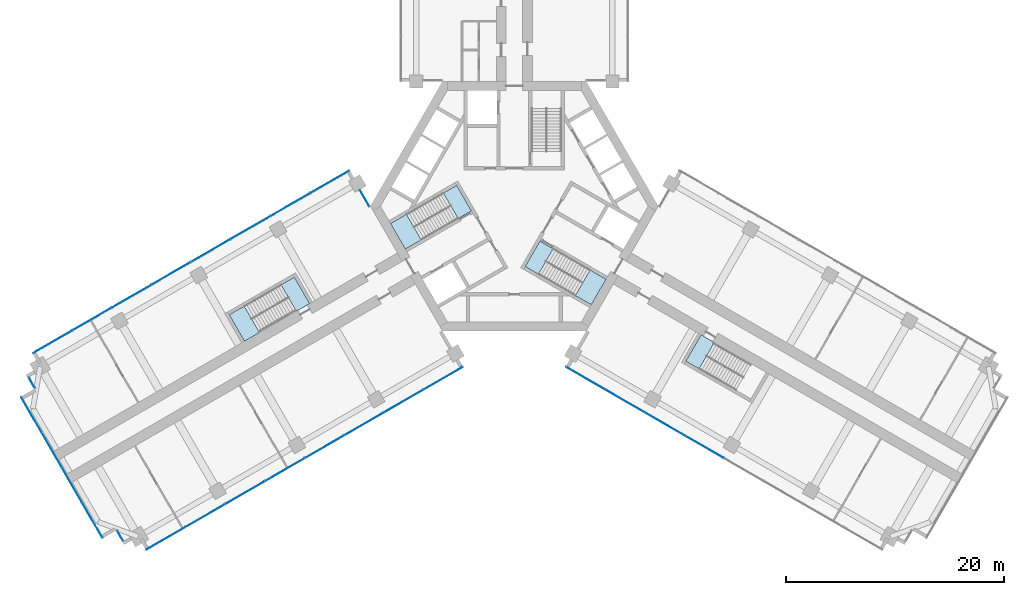
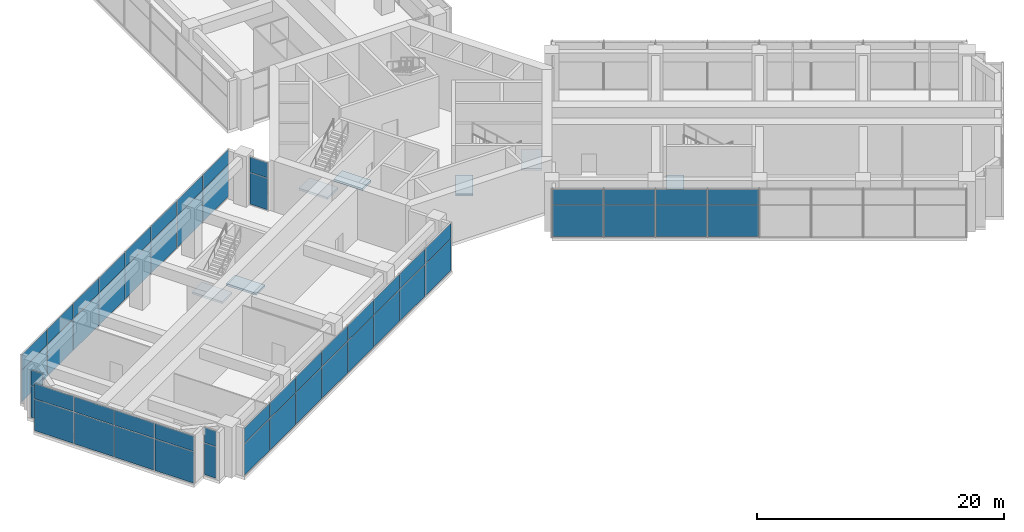
# One storey, part 12 of 20: 54 plates, 7 slabs, 11 elements without a shape of their own.
"""IFC4 building model written with IfcOpenShell, lengths in metres."""

from ifc_helpers import new_model, si_unit, direction, frame, origin, origin_2d, place, context, subcontext, project, spatial, polyline, rectangle, outline, extrude, material, layer, layer_set, type_object, element, aggregate, save


model = new_model("IFC4")

# Units and contexts
model_context = context("Model", 3, precision=1e-05, world=origin(), true_north=direction((0.0, 1.0)))
body_context = subcontext(model_context, "Body", "Model", "MODEL_VIEW")
ifc_project = project(units=[si_unit("LENGTHUNIT", "METRE"), si_unit("AREAUNIT", "SQUARE_METRE"), si_unit("VOLUMEUNIT", "CUBIC_METRE"), si_unit("PLANEANGLEUNIT", "RADIAN"), si_unit("MASSUNIT", "GRAM", prefix="KILO")], contexts=[model_context])

# Site, building, storey
site_placement = place(None, origin())
site = spatial("IfcSite", under=ifc_project, at=site_placement, CompositionType="ELEMENT")
building_placement = place(site_placement, origin())
building = spatial("IfcBuilding", under=site, at=building_placement, Name="Impinga Residences", CompositionType="ELEMENT")
storey_placement = place(building_placement, frame((0.0, 0.0, 101.0)))
storey = spatial("IfcBuildingStorey", under=building, at=storey_placement, Name="L24", CompositionType="ELEMENT", Elevation=101.0)

# Curtain wall, plates
ifc_material_1 = material(Name="Aluminium stick curtain wall", Category="aluminium")
curtain_wall_type = type_object("IfcCurtainWallType", Name="CW2 sky amenity curtain wall", PredefinedType="USERDEFINED", material=ifc_material_1)
curtain_wall_1_placement = place(storey_placement, origin())
curtain_wall_1 = element("IfcCurtainWall", 1, at=curtain_wall_1_placement, inside=storey, type_object=curtain_wall_type, Name="Curtain wall CW2 L24", ObjectType="STICK CURTAIN WALL", PredefinedType="USERDEFINED")
ifc_material_2 = material(Name="Clear double glazing", Category="glass")
ifc_layer_1 = layer(ifc_material_2, 0.028076171875)
ifc_layer_set_1 = layer_set([ifc_layer_1], Name="CW2-P clear double glazed panel 28")
plate_type = type_object("IfcPlateType", Name="CW2-P clear double glazed panel 28", PredefinedType="CURTAIN_PANEL", material=ifc_layer_set_1)
plate_1_placement = place(storey_placement, frame((-36.160888671875, -30.23046875, 0.06005859375), z_axis=(0.0, 0.0, 1.0), x_axis=(-0.499999813995, 0.866025511175, 0.0)))
plate_1 = element("IfcPlate", 2, at=plate_1_placement, type_object=plate_type, Name="CW2 panel 1.1", PredefinedType="CURTAIN_PANEL", context=body_context, shape_type="SweptSolid", body=[
    extrude(rectangle(XDim=1.080078125, YDim=0.028076171875, at=origin_2d()), origin(), (0.0, 0.0, 1.0), 3.110107421875),
])
plate_2_placement = place(storey_placement, frame((-36.160888671875, -30.23046875, 3.22998046875), z_axis=(0.0, 0.0, 1.0), x_axis=(-0.499999813995, 0.866025511175, 0.0)))
plate_2 = element("IfcPlate", 3, at=plate_2_placement, type_object=plate_type, Name="CW2 panel 1.2", PredefinedType="CURTAIN_PANEL", context=body_context, shape_type="SweptSolid", body=[
    extrude(rectangle(XDim=1.080078125, YDim=0.028076171875, at=origin_2d()), origin(), (0.0, 0.0, 1.0), 1.489990234375),
])
aggregate(curtain_wall_1, [plate_1, plate_2])

curtain_wall_2_placement = place(storey_placement, origin())
curtain_wall_2 = element("IfcCurtainWall", 4, at=curtain_wall_2_placement, inside=storey, type_object=curtain_wall_type, Name="Curtain wall CW2 L24", ObjectType="STICK CURTAIN WALL", PredefinedType="USERDEFINED")
plate_3_placement = place(storey_placement, frame((-38.704833984375, -28.82421875, 0.06005859375), z_axis=(0.0, 0.0, 1.0), x_axis=(-0.500000001632, 0.866025402842, 0.0)))
plate_3 = element("IfcPlate", 5, at=plate_3_placement, type_object=plate_type, Name="CW2 panel 1.1", PredefinedType="CURTAIN_PANEL", context=body_context, shape_type="SweptSolid", body=[
    extrude(rectangle(XDim=3.659912109375, YDim=0.028076171875, at=origin_2d()), origin(), (0.0, 0.0, 1.0), 3.110107421875),
])
plate_4_placement = place(storey_placement, frame((-38.704833984375, -28.82421875, 3.22998046875), z_axis=(0.0, 0.0, 1.0), x_axis=(-0.500000001632, 0.866025402842, 0.0)))
plate_4 = element("IfcPlate", 6, at=plate_4_placement, type_object=plate_type, Name="CW2 panel 1.2", PredefinedType="CURTAIN_PANEL", context=body_context, shape_type="SweptSolid", body=[
    extrude(rectangle(XDim=3.659912109375, YDim=0.028076171875, at=origin_2d()), origin(), (0.0, 0.0, 1.0), 1.489990234375),
])
plate_5_placement = place(storey_placement, frame((-40.572509765625, -25.589599609375, 0.06005859375), z_axis=(0.0, 0.0, 1.0), x_axis=(-0.500000001632, 0.866025402842, 0.0)))
plate_5 = element("IfcPlate", 7, at=plate_5_placement, type_object=plate_type, Name="CW2 panel 2.1", PredefinedType="CURTAIN_PANEL", context=body_context, shape_type="SweptSolid", body=[
    extrude(rectangle(XDim=3.68994140625, YDim=0.028076171875, at=origin_2d()), origin(), (0.0, 0.0, 1.0), 3.110107421875),
])
plate_6_placement = place(storey_placement, frame((-40.572509765625, -25.589599609375, 3.22998046875), z_axis=(0.0, 0.0, 1.0), x_axis=(-0.500000001632, 0.866025402842, 0.0)))
plate_6 = element("IfcPlate", 8, at=plate_6_placement, type_object=plate_type, Name="CW2 panel 2.2", PredefinedType="CURTAIN_PANEL", context=body_context, shape_type="SweptSolid", body=[
    extrude(rectangle(XDim=3.68994140625, YDim=0.028076171875, at=origin_2d()), origin(), (0.0, 0.0, 1.0), 1.489990234375),
])
plate_7_placement = place(storey_placement, frame((-42.447509765625, -22.342041015625, 0.06005859375), z_axis=(0.0, 0.0, 1.0), x_axis=(-0.500000001632, 0.866025402842, 0.0)))
plate_7 = element("IfcPlate", 9, at=plate_7_placement, type_object=plate_type, Name="CW2 panel 3.1", PredefinedType="CURTAIN_PANEL", context=body_context, shape_type="SweptSolid", body=[
    extrude(rectangle(XDim=3.68994140625, YDim=0.028076171875, at=origin_2d()), origin(), (0.0, 0.0, 1.0), 3.110107421875),
])
plate_8_placement = place(storey_placement, frame((-42.447509765625, -22.342041015625, 3.22998046875), z_axis=(0.0, 0.0, 1.0), x_axis=(-0.500000001632, 0.866025402842, 0.0)))
plate_8 = element("IfcPlate", 10, at=plate_8_placement, type_object=plate_type, Name="CW2 panel 3.2", PredefinedType="CURTAIN_PANEL", context=body_context, shape_type="SweptSolid", body=[
    extrude(rectangle(XDim=3.68994140625, YDim=0.028076171875, at=origin_2d()), origin(), (0.0, 0.0, 1.0), 1.489990234375),
])
plate_9_placement = place(storey_placement, frame((-44.31494140625, -19.107421875, 0.06005859375), z_axis=(0.0, 0.0, 1.0), x_axis=(-0.500000001632, 0.866025402842, 0.0)))
plate_9 = element("IfcPlate", 11, at=plate_9_placement, type_object=plate_type, Name="CW2 panel 4.1", PredefinedType="CURTAIN_PANEL", context=body_context, shape_type="SweptSolid", body=[
    extrude(rectangle(XDim=3.659912109375, YDim=0.028076171875, at=origin_2d()), origin(), (0.0, 0.0, 1.0), 3.110107421875),
])
plate_10_placement = place(storey_placement, frame((-44.31494140625, -19.107421875, 3.22998046875), z_axis=(0.0, 0.0, 1.0), x_axis=(-0.500000001632, 0.866025402842, 0.0)))
plate_10 = element("IfcPlate", 12, at=plate_10_placement, type_object=plate_type, Name="CW2 panel 4.2", PredefinedType="CURTAIN_PANEL", context=body_context, shape_type="SweptSolid", body=[
    extrude(rectangle(XDim=3.659912109375, YDim=0.028076171875, at=origin_2d()), origin(), (0.0, 0.0, 1.0), 1.489990234375),
])
aggregate(curtain_wall_2, [plate_3, plate_4, plate_5, plate_6, plate_7, plate_8, plate_9, plate_10])

curtain_wall_3_placement = place(storey_placement, origin())
curtain_wall_3 = element("IfcCurtainWall", 13, at=curtain_wall_3_placement, inside=storey, type_object=curtain_wall_type, Name="Curtain wall CW2 L24", ObjectType="STICK CURTAIN WALL", PredefinedType="USERDEFINED")
plate_11_placement = place(storey_placement, frame((-44.260986328125, -16.200927734375, 0.06005859375), z_axis=(0.0, 0.0, 1.0), x_axis=(-0.50000017485, 0.866025302835, 0.0)))
plate_11 = element("IfcPlate", 14, at=plate_11_placement, type_object=plate_type, Name="CW2 panel 1.1", PredefinedType="CURTAIN_PANEL", context=body_context, shape_type="SweptSolid", body=[
    extrude(rectangle(XDim=1.080078125, YDim=0.028076171875, at=origin_2d()), origin(), (0.0, 0.0, 1.0), 3.110107421875),
])
plate_12_placement = place(storey_placement, frame((-44.260986328125, -16.200927734375, 3.22998046875), z_axis=(0.0, 0.0, 1.0), x_axis=(-0.50000017485, 0.866025302835, 0.0)))
plate_12 = element("IfcPlate", 15, at=plate_12_placement, type_object=plate_type, Name="CW2 panel 1.2", PredefinedType="CURTAIN_PANEL", context=body_context, shape_type="SweptSolid", body=[
    extrude(rectangle(XDim=1.080078125, YDim=0.028076171875, at=origin_2d()), origin(), (0.0, 0.0, 1.0), 1.489990234375),
])
aggregate(curtain_wall_3, [plate_11, plate_12])

curtain_wall_4_placement = place(storey_placement, origin())
curtain_wall_4 = element("IfcCurtainWall", 16, at=curtain_wall_4_placement, inside=storey, type_object=curtain_wall_type, Name="Curtain wall CW2 L24", ObjectType="STICK CURTAIN WALL", PredefinedType="USERDEFINED")
plate_13_placement = place(storey_placement, frame((-42.36669921875, -12.45166015625, 0.06005859375), z_axis=(0.0, 0.0, 1.0), x_axis=(0.866025407005, 0.499999994423, 0.0)))
plate_13 = element("IfcPlate", 17, at=plate_13_placement, type_object=plate_type, Name="CW2 panel 1.1", PredefinedType="CURTAIN_PANEL", context=body_context, shape_type="SweptSolid", body=[
    extrude(rectangle(XDim=4.110107421875, YDim=0.028076171875, at=origin_2d()), origin(), (0.0, 0.0, 1.0), 3.110107421875),
])
plate_14_placement = place(storey_placement, frame((-42.36669921875, -12.45166015625, 3.22998046875), z_axis=(0.0, 0.0, 1.0), x_axis=(0.866025407005, 0.499999994423, 0.0)))
plate_14 = element("IfcPlate", 18, at=plate_14_placement, type_object=plate_type, Name="CW2 panel 1.2", PredefinedType="CURTAIN_PANEL", context=body_context, shape_type="SweptSolid", body=[
    extrude(rectangle(XDim=4.110107421875, YDim=0.028076171875, at=origin_2d()), origin(), (0.0, 0.0, 1.0), 1.489990234375),
])
plate_15_placement = place(storey_placement, frame((-38.742431640625, -10.359130859375, 0.06005859375), z_axis=(0.0, 0.0, 1.0), x_axis=(0.866025407005, 0.499999994423, 0.0)))
plate_15 = element("IfcPlate", 19, at=plate_15_placement, type_object=plate_type, Name="CW2 panel 2.1", PredefinedType="CURTAIN_PANEL", context=body_context, shape_type="SweptSolid", body=[
    extrude(rectangle(XDim=4.139892578125, YDim=0.028076171875, at=origin_2d()), origin(), (0.0, 0.0, 1.0), 3.110107421875),
])
plate_16_placement = place(storey_placement, frame((-38.742431640625, -10.359130859375, 3.22998046875), z_axis=(0.0, 0.0, 1.0), x_axis=(0.866025407005, 0.499999994423, 0.0)))
plate_16 = element("IfcPlate", 20, at=plate_16_placement, type_object=plate_type, Name="CW2 panel 2.2", PredefinedType="CURTAIN_PANEL", context=body_context, shape_type="SweptSolid", body=[
    extrude(rectangle(XDim=4.139892578125, YDim=0.028076171875, at=origin_2d()), origin(), (0.0, 0.0, 1.0), 1.489990234375),
])
plate_17_placement = place(storey_placement, frame((-35.105224609375, -8.259033203125, 0.06005859375), z_axis=(0.0, 0.0, 1.0), x_axis=(0.866025407005, 0.499999994423, 0.0)))
plate_17 = element("IfcPlate", 21, at=plate_17_placement, type_object=plate_type, Name="CW2 panel 3.1", PredefinedType="CURTAIN_PANEL", context=body_context, shape_type="SweptSolid", body=[
    extrude(rectangle(XDim=4.139892578125, YDim=0.028076171875, at=origin_2d()), origin(), (0.0, 0.0, 1.0), 3.110107421875),
])
plate_18_placement = place(storey_placement, frame((-35.105224609375, -8.259033203125, 3.22998046875), z_axis=(0.0, 0.0, 1.0), x_axis=(0.866025407005, 0.499999994423, 0.0)))
plate_18 = element("IfcPlate", 22, at=plate_18_placement, type_object=plate_type, Name="CW2 panel 3.2", PredefinedType="CURTAIN_PANEL", context=body_context, shape_type="SweptSolid", body=[
    extrude(rectangle(XDim=4.139892578125, YDim=0.028076171875, at=origin_2d()), origin(), (0.0, 0.0, 1.0), 1.489990234375),
])
plate_19_placement = place(storey_placement, frame((-31.4677734375, -6.1591796875, 0.06005859375), z_axis=(0.0, 0.0, 1.0), x_axis=(0.866025407005, 0.499999994423, 0.0)))
plate_19 = element("IfcPlate", 23, at=plate_19_placement, type_object=plate_type, Name="CW2 panel 4.1", PredefinedType="CURTAIN_PANEL", context=body_context, shape_type="SweptSolid", body=[
    extrude(rectangle(XDim=4.139892578125, YDim=0.028076171875, at=origin_2d()), origin(), (0.0, 0.0, 1.0), 3.110107421875),
])
plate_20_placement = place(storey_placement, frame((-31.4677734375, -6.1591796875, 3.22998046875), z_axis=(0.0, 0.0, 1.0), x_axis=(0.866025407005, 0.499999994423, 0.0)))
plate_20 = element("IfcPlate", 24, at=plate_20_placement, type_object=plate_type, Name="CW2 panel 4.2", PredefinedType="CURTAIN_PANEL", context=body_context, shape_type="SweptSolid", body=[
    extrude(rectangle(XDim=4.139892578125, YDim=0.028076171875, at=origin_2d()), origin(), (0.0, 0.0, 1.0), 1.489990234375),
])
plate_21_placement = place(storey_placement, frame((-27.83056640625, -4.05908203125, 0.06005859375), z_axis=(0.0, 0.0, 1.0), x_axis=(0.866025407005, 0.499999994423, 0.0)))
plate_21 = element("IfcPlate", 25, at=plate_21_placement, type_object=plate_type, Name="CW2 panel 5.1", PredefinedType="CURTAIN_PANEL", context=body_context, shape_type="SweptSolid", body=[
    extrude(rectangle(XDim=4.139892578125, YDim=0.028076171875, at=origin_2d()), origin(), (0.0, 0.0, 1.0), 3.110107421875),
])
plate_22_placement = place(storey_placement, frame((-27.83056640625, -4.05908203125, 3.22998046875), z_axis=(0.0, 0.0, 1.0), x_axis=(0.866025407005, 0.499999994423, 0.0)))
plate_22 = element("IfcPlate", 26, at=plate_22_placement, type_object=plate_type, Name="CW2 panel 5.2", PredefinedType="CURTAIN_PANEL", context=body_context, shape_type="SweptSolid", body=[
    extrude(rectangle(XDim=4.139892578125, YDim=0.028076171875, at=origin_2d()), origin(), (0.0, 0.0, 1.0), 1.489990234375),
])
plate_23_placement = place(storey_placement, frame((-24.193359375, -1.958984375, 0.06005859375), z_axis=(0.0, 0.0, 1.0), x_axis=(0.866025407005, 0.499999994423, 0.0)))
plate_23 = element("IfcPlate", 27, at=plate_23_placement, type_object=plate_type, Name="CW2 panel 6.1", PredefinedType="CURTAIN_PANEL", context=body_context, shape_type="SweptSolid", body=[
    extrude(rectangle(XDim=4.139892578125, YDim=0.028076171875, at=origin_2d()), origin(), (0.0, 0.0, 1.0), 3.110107421875),
])
plate_24_placement = place(storey_placement, frame((-24.193359375, -1.958984375, 3.22998046875), z_axis=(0.0, 0.0, 1.0), x_axis=(0.866025407005, 0.499999994423, 0.0)))
plate_24 = element("IfcPlate", 28, at=plate_24_placement, type_object=plate_type, Name="CW2 panel 6.2", PredefinedType="CURTAIN_PANEL", context=body_context, shape_type="SweptSolid", body=[
    extrude(rectangle(XDim=4.139892578125, YDim=0.028076171875, at=origin_2d()), origin(), (0.0, 0.0, 1.0), 1.489990234375),
])
plate_25_placement = place(storey_placement, frame((-20.555908203125, 0.140869140625, 0.06005859375), z_axis=(0.0, 0.0, 1.0), x_axis=(0.866025407005, 0.499999994423, 0.0)))
plate_25 = element("IfcPlate", 29, at=plate_25_placement, type_object=plate_type, Name="CW2 panel 7.1", PredefinedType="CURTAIN_PANEL", context=body_context, shape_type="SweptSolid", body=[
    extrude(rectangle(XDim=4.139892578125, YDim=0.028076171875, at=origin_2d()), origin(), (0.0, 0.0, 1.0), 3.110107421875),
])
plate_26_placement = place(storey_placement, frame((-20.555908203125, 0.140869140625, 3.22998046875), z_axis=(0.0, 0.0, 1.0), x_axis=(0.866025407005, 0.499999994423, 0.0)))
plate_26 = element("IfcPlate", 30, at=plate_26_placement, type_object=plate_type, Name="CW2 panel 7.2", PredefinedType="CURTAIN_PANEL", context=body_context, shape_type="SweptSolid", body=[
    extrude(rectangle(XDim=4.139892578125, YDim=0.028076171875, at=origin_2d()), origin(), (0.0, 0.0, 1.0), 1.489990234375),
])
plate_27_placement = place(storey_placement, frame((-16.931640625, 2.2333984375, 0.06005859375), z_axis=(0.0, 0.0, 1.0), x_axis=(0.866025407005, 0.499999994423, 0.0)))
plate_27 = element("IfcPlate", 31, at=plate_27_placement, type_object=plate_type, Name="CW2 panel 8.1", PredefinedType="CURTAIN_PANEL", context=body_context, shape_type="SweptSolid", body=[
    extrude(rectangle(XDim=4.110107421875, YDim=0.028076171875, at=origin_2d()), origin(), (0.0, 0.0, 1.0), 3.110107421875),
])
plate_28_placement = place(storey_placement, frame((-16.931640625, 2.2333984375, 3.22998046875), z_axis=(0.0, 0.0, 1.0), x_axis=(0.866025407005, 0.499999994423, 0.0)))
plate_28 = element("IfcPlate", 32, at=plate_28_placement, type_object=plate_type, Name="CW2 panel 8.2", PredefinedType="CURTAIN_PANEL", context=body_context, shape_type="SweptSolid", body=[
    extrude(rectangle(XDim=4.110107421875, YDim=0.028076171875, at=origin_2d()), origin(), (0.0, 0.0, 1.0), 1.489990234375),
])
aggregate(curtain_wall_4, [plate_13, plate_14, plate_15, plate_16, plate_17, plate_18, plate_19, plate_20, plate_21, plate_22, plate_23, plate_24, plate_25, plate_26, plate_27, plate_28])

curtain_wall_5_placement = place(storey_placement, origin())
curtain_wall_5 = element("IfcCurtainWall", 33, at=curtain_wall_5_placement, inside=storey, type_object=curtain_wall_type, Name="Curtain wall CW2 L24", ObjectType="STICK CURTAIN WALL", PredefinedType="USERDEFINED")
plate_29_placement = place(storey_placement, frame((-13.73583984375, 0.72802734375, 0.06005859375), z_axis=(0.0, 0.0, 1.0), x_axis=(0.499999915809, -0.866025452392, 0.0)))
plate_29 = element("IfcPlate", 34, at=plate_29_placement, type_object=plate_type, Name="CW2 panel 1.1", PredefinedType="CURTAIN_PANEL", context=body_context, shape_type="SweptSolid", body=[
    extrude(rectangle(XDim=1.677001953125, YDim=0.028076171875, at=origin_2d()), origin(), (0.0, 0.0, 1.0), 3.110107421875),
])
plate_30_placement = place(storey_placement, frame((-13.73583984375, 0.72802734375, 3.22998046875), z_axis=(0.0, 0.0, 1.0), x_axis=(0.499999915809, -0.866025452392, 0.0)))
plate_30 = element("IfcPlate", 35, at=plate_30_placement, type_object=plate_type, Name="CW2 panel 1.2", PredefinedType="CURTAIN_PANEL", context=body_context, shape_type="SweptSolid", body=[
    extrude(rectangle(XDim=1.677001953125, YDim=0.028076171875, at=origin_2d()), origin(), (0.0, 0.0, 1.0), 1.489990234375),
])
aggregate(curtain_wall_5, [plate_29, plate_30])

curtain_wall_6_placement = place(storey_placement, origin())
curtain_wall_6 = element("IfcCurtainWall", 36, at=curtain_wall_6_placement, inside=storey, type_object=curtain_wall_type, Name="Curtain wall CW2 L24", ObjectType="STICK CURTAIN WALL", PredefinedType="USERDEFINED")
plate_31_placement = place(storey_placement, frame((17.4306640625, -22.072509765625, 0.06005859375), z_axis=(0.0, 0.0, 1.0), x_axis=(-0.866025407005, 0.499999994423, 0.0)))
plate_31 = element("IfcPlate", 37, at=plate_31_placement, type_object=plate_type, Name="CW2 panel 5.1", PredefinedType="CURTAIN_PANEL", context=body_context, shape_type="SweptSolid", body=[
    extrude(rectangle(XDim=4.139892578125, YDim=0.028076171875, at=origin_2d()), origin(), (0.0, 0.0, 1.0), 3.110107421875),
])
plate_32_placement = place(storey_placement, frame((17.4306640625, -22.072509765625, 3.22998046875), z_axis=(0.0, 0.0, 1.0), x_axis=(-0.866025407005, 0.499999994423, 0.0)))
plate_32 = element("IfcPlate", 38, at=plate_32_placement, type_object=plate_type, Name="CW2 panel 5.2", PredefinedType="CURTAIN_PANEL", context=body_context, shape_type="SweptSolid", body=[
    extrude(rectangle(XDim=4.139892578125, YDim=0.028076171875, at=origin_2d()), origin(), (0.0, 0.0, 1.0), 1.489990234375),
])
plate_33_placement = place(storey_placement, frame((13.793212890625, -19.972412109375, 0.06005859375), z_axis=(0.0, 0.0, 1.0), x_axis=(-0.866025407005, 0.499999994423, 0.0)))
plate_33 = element("IfcPlate", 39, at=plate_33_placement, type_object=plate_type, Name="CW2 panel 6.1", PredefinedType="CURTAIN_PANEL", context=body_context, shape_type="SweptSolid", body=[
    extrude(rectangle(XDim=4.139892578125, YDim=0.028076171875, at=origin_2d()), origin(), (0.0, 0.0, 1.0), 3.110107421875),
])
plate_34_placement = place(storey_placement, frame((13.793212890625, -19.972412109375, 3.22998046875), z_axis=(0.0, 0.0, 1.0), x_axis=(-0.866025407005, 0.499999994423, 0.0)))
plate_34 = element("IfcPlate", 40, at=plate_34_placement, type_object=plate_type, Name="CW2 panel 6.2", PredefinedType="CURTAIN_PANEL", context=body_context, shape_type="SweptSolid", body=[
    extrude(rectangle(XDim=4.139892578125, YDim=0.028076171875, at=origin_2d()), origin(), (0.0, 0.0, 1.0), 1.489990234375),
])
plate_35_placement = place(storey_placement, frame((10.156005859375, -17.872314453125, 0.06005859375), z_axis=(0.0, 0.0, 1.0), x_axis=(-0.866025407005, 0.499999994423, 0.0)))
plate_35 = element("IfcPlate", 41, at=plate_35_placement, type_object=plate_type, Name="CW2 panel 7.1", PredefinedType="CURTAIN_PANEL", context=body_context, shape_type="SweptSolid", body=[
    extrude(rectangle(XDim=4.139892578125, YDim=0.028076171875, at=origin_2d()), origin(), (0.0, 0.0, 1.0), 3.110107421875),
])
plate_36_placement = place(storey_placement, frame((10.156005859375, -17.872314453125, 3.22998046875), z_axis=(0.0, 0.0, 1.0), x_axis=(-0.866025407005, 0.499999994423, 0.0)))
plate_36 = element("IfcPlate", 42, at=plate_36_placement, type_object=plate_type, Name="CW2 panel 7.2", PredefinedType="CURTAIN_PANEL", context=body_context, shape_type="SweptSolid", body=[
    extrude(rectangle(XDim=4.139892578125, YDim=0.028076171875, at=origin_2d()), origin(), (0.0, 0.0, 1.0), 1.489990234375),
])
plate_37_placement = place(storey_placement, frame((6.53173828125, -15.780029296875, 0.06005859375), z_axis=(0.0, 0.0, 1.0), x_axis=(-0.866025407005, 0.499999994423, 0.0)))
plate_37 = element("IfcPlate", 43, at=plate_37_placement, type_object=plate_type, Name="CW2 panel 8.1", PredefinedType="CURTAIN_PANEL", context=body_context, shape_type="SweptSolid", body=[
    extrude(rectangle(XDim=4.110107421875, YDim=0.028076171875, at=origin_2d()), origin(), (0.0, 0.0, 1.0), 3.110107421875),
])
plate_38_placement = place(storey_placement, frame((6.53173828125, -15.780029296875, 3.22998046875), z_axis=(0.0, 0.0, 1.0), x_axis=(-0.866025407005, 0.499999994423, 0.0)))
plate_38 = element("IfcPlate", 44, at=plate_38_placement, type_object=plate_type, Name="CW2 panel 8.2", PredefinedType="CURTAIN_PANEL", context=body_context, shape_type="SweptSolid", body=[
    extrude(rectangle(XDim=4.110107421875, YDim=0.028076171875, at=origin_2d()), origin(), (0.0, 0.0, 1.0), 1.489990234375),
])
aggregate(curtain_wall_6, [plate_31, plate_32, plate_33, plate_34, plate_35, plate_36, plate_37, plate_38])

curtain_wall_7_placement = place(storey_placement, origin())
curtain_wall_7 = element("IfcCurtainWall", 45, at=curtain_wall_7_placement, inside=storey, type_object=curtain_wall_type, Name="Curtain wall CW2 L24", ObjectType="STICK CURTAIN WALL", PredefinedType="USERDEFINED")
plate_39_placement = place(storey_placement, frame((-6.53173828125, -15.780029296875, 0.06005859375), z_axis=(0.0, 0.0, 1.0), x_axis=(-0.866025407005, -0.499999994423, 0.0)))
plate_39 = element("IfcPlate", 46, at=plate_39_placement, type_object=plate_type, Name="CW2 panel 1.1", PredefinedType="CURTAIN_PANEL", context=body_context, shape_type="SweptSolid", body=[
    extrude(rectangle(XDim=4.110107421875, YDim=0.028076171875, at=origin_2d()), origin(), (0.0, 0.0, 1.0), 3.110107421875),
])
plate_40_placement = place(storey_placement, frame((-6.53173828125, -15.780029296875, 3.22998046875), z_axis=(0.0, 0.0, 1.0), x_axis=(-0.866025407005, -0.499999994423, 0.0)))
plate_40 = element("IfcPlate", 47, at=plate_40_placement, type_object=plate_type, Name="CW2 panel 1.2", PredefinedType="CURTAIN_PANEL", context=body_context, shape_type="SweptSolid", body=[
    extrude(rectangle(XDim=4.110107421875, YDim=0.028076171875, at=origin_2d()), origin(), (0.0, 0.0, 1.0), 1.489990234375),
])
plate_41_placement = place(storey_placement, frame((-10.156005859375, -17.872314453125, 0.06005859375), z_axis=(0.0, 0.0, 1.0), x_axis=(-0.866025407005, -0.499999994423, 0.0)))
plate_41 = element("IfcPlate", 48, at=plate_41_placement, type_object=plate_type, Name="CW2 panel 2.1", PredefinedType="CURTAIN_PANEL", context=body_context, shape_type="SweptSolid", body=[
    extrude(rectangle(XDim=4.139892578125, YDim=0.028076171875, at=origin_2d()), origin(), (0.0, 0.0, 1.0), 3.110107421875),
])
plate_42_placement = place(storey_placement, frame((-10.156005859375, -17.872314453125, 3.22998046875), z_axis=(0.0, 0.0, 1.0), x_axis=(-0.866025407005, -0.499999994423, 0.0)))
plate_42 = element("IfcPlate", 49, at=plate_42_placement, type_object=plate_type, Name="CW2 panel 2.2", PredefinedType="CURTAIN_PANEL", context=body_context, shape_type="SweptSolid", body=[
    extrude(rectangle(XDim=4.139892578125, YDim=0.028076171875, at=origin_2d()), origin(), (0.0, 0.0, 1.0), 1.489990234375),
])
plate_43_placement = place(storey_placement, frame((-13.793212890625, -19.972412109375, 0.06005859375), z_axis=(0.0, 0.0, 1.0), x_axis=(-0.866025407005, -0.499999994423, 0.0)))
plate_43 = element("IfcPlate", 50, at=plate_43_placement, type_object=plate_type, Name="CW2 panel 3.1", PredefinedType="CURTAIN_PANEL", context=body_context, shape_type="SweptSolid", body=[
    extrude(rectangle(XDim=4.139892578125, YDim=0.028076171875, at=origin_2d()), origin(), (0.0, 0.0, 1.0), 3.110107421875),
])
plate_44_placement = place(storey_placement, frame((-13.793212890625, -19.972412109375, 3.22998046875), z_axis=(0.0, 0.0, 1.0), x_axis=(-0.866025407005, -0.499999994423, 0.0)))
plate_44 = element("IfcPlate", 51, at=plate_44_placement, type_object=plate_type, Name="CW2 panel 3.2", PredefinedType="CURTAIN_PANEL", context=body_context, shape_type="SweptSolid", body=[
    extrude(rectangle(XDim=4.139892578125, YDim=0.028076171875, at=origin_2d()), origin(), (0.0, 0.0, 1.0), 1.489990234375),
])
plate_45_placement = place(storey_placement, frame((-17.4306640625, -22.072509765625, 0.06005859375), z_axis=(0.0, 0.0, 1.0), x_axis=(-0.866025407005, -0.499999994423, 0.0)))
plate_45 = element("IfcPlate", 52, at=plate_45_placement, type_object=plate_type, Name="CW2 panel 4.1", PredefinedType="CURTAIN_PANEL", context=body_context, shape_type="SweptSolid", body=[
    extrude(rectangle(XDim=4.139892578125, YDim=0.028076171875, at=origin_2d()), origin(), (0.0, 0.0, 1.0), 3.110107421875),
])
plate_46_placement = place(storey_placement, frame((-17.4306640625, -22.072509765625, 3.22998046875), z_axis=(0.0, 0.0, 1.0), x_axis=(-0.866025407005, -0.499999994423, 0.0)))
plate_46 = element("IfcPlate", 53, at=plate_46_placement, type_object=plate_type, Name="CW2 panel 4.2", PredefinedType="CURTAIN_PANEL", context=body_context, shape_type="SweptSolid", body=[
    extrude(rectangle(XDim=4.139892578125, YDim=0.028076171875, at=origin_2d()), origin(), (0.0, 0.0, 1.0), 1.489990234375),
])
plate_47_placement = place(storey_placement, frame((-21.06787109375, -24.17236328125, 0.06005859375), z_axis=(0.0, 0.0, 1.0), x_axis=(-0.866025407005, -0.499999994423, 0.0)))
plate_47 = element("IfcPlate", 54, at=plate_47_placement, type_object=plate_type, Name="CW2 panel 5.1", PredefinedType="CURTAIN_PANEL", context=body_context, shape_type="SweptSolid", body=[
    extrude(rectangle(XDim=4.139892578125, YDim=0.028076171875, at=origin_2d()), origin(), (0.0, 0.0, 1.0), 3.110107421875),
])
plate_48_placement = place(storey_placement, frame((-21.06787109375, -24.17236328125, 3.22998046875), z_axis=(0.0, 0.0, 1.0), x_axis=(-0.866025407005, -0.499999994423, 0.0)))
plate_48 = element("IfcPlate", 55, at=plate_48_placement, type_object=plate_type, Name="CW2 panel 5.2", PredefinedType="CURTAIN_PANEL", context=body_context, shape_type="SweptSolid", body=[
    extrude(rectangle(XDim=4.139892578125, YDim=0.028076171875, at=origin_2d()), origin(), (0.0, 0.0, 1.0), 1.489990234375),
])
plate_49_placement = place(storey_placement, frame((-24.705078125, -26.2724609375, 0.06005859375), z_axis=(0.0, 0.0, 1.0), x_axis=(-0.866025407005, -0.499999994423, 0.0)))
plate_49 = element("IfcPlate", 56, at=plate_49_placement, type_object=plate_type, Name="CW2 panel 6.1", PredefinedType="CURTAIN_PANEL", context=body_context, shape_type="SweptSolid", body=[
    extrude(rectangle(XDim=4.139892578125, YDim=0.028076171875, at=origin_2d()), origin(), (0.0, 0.0, 1.0), 3.110107421875),
])
plate_50_placement = place(storey_placement, frame((-24.705078125, -26.2724609375, 3.22998046875), z_axis=(0.0, 0.0, 1.0), x_axis=(-0.866025407005, -0.499999994423, 0.0)))
plate_50 = element("IfcPlate", 57, at=plate_50_placement, type_object=plate_type, Name="CW2 panel 6.2", PredefinedType="CURTAIN_PANEL", context=body_context, shape_type="SweptSolid", body=[
    extrude(rectangle(XDim=4.139892578125, YDim=0.028076171875, at=origin_2d()), origin(), (0.0, 0.0, 1.0), 1.489990234375),
])
plate_51_placement = place(storey_placement, frame((-28.342529296875, -28.372314453125, 0.06005859375), z_axis=(0.0, 0.0, 1.0), x_axis=(-0.866025407005, -0.499999994423, 0.0)))
plate_51 = element("IfcPlate", 58, at=plate_51_placement, type_object=plate_type, Name="CW2 panel 7.1", PredefinedType="CURTAIN_PANEL", context=body_context, shape_type="SweptSolid", body=[
    extrude(rectangle(XDim=4.139892578125, YDim=0.028076171875, at=origin_2d()), origin(), (0.0, 0.0, 1.0), 3.110107421875),
])
plate_52_placement = place(storey_placement, frame((-28.342529296875, -28.372314453125, 3.22998046875), z_axis=(0.0, 0.0, 1.0), x_axis=(-0.866025407005, -0.499999994423, 0.0)))
plate_52 = element("IfcPlate", 59, at=plate_52_placement, type_object=plate_type, Name="CW2 panel 7.2", PredefinedType="CURTAIN_PANEL", context=body_context, shape_type="SweptSolid", body=[
    extrude(rectangle(XDim=4.139892578125, YDim=0.028076171875, at=origin_2d()), origin(), (0.0, 0.0, 1.0), 1.489990234375),
])
plate_53_placement = place(storey_placement, frame((-31.966796875, -30.46484375, 0.06005859375), z_axis=(0.0, 0.0, 1.0), x_axis=(-0.866025407005, -0.499999994423, 0.0)))
plate_53 = element("IfcPlate", 60, at=plate_53_placement, type_object=plate_type, Name="CW2 panel 8.1", PredefinedType="CURTAIN_PANEL", context=body_context, shape_type="SweptSolid", body=[
    extrude(rectangle(XDim=4.110107421875, YDim=0.028076171875, at=origin_2d()), origin(), (0.0, 0.0, 1.0), 3.110107421875),
])
plate_54_placement = place(storey_placement, frame((-31.966796875, -30.46484375, 3.22998046875), z_axis=(0.0, 0.0, 1.0), x_axis=(-0.866025407005, -0.499999994423, 0.0)))
plate_54 = element("IfcPlate", 61, at=plate_54_placement, type_object=plate_type, Name="CW2 panel 8.2", PredefinedType="CURTAIN_PANEL", context=body_context, shape_type="SweptSolid", body=[
    extrude(rectangle(XDim=4.110107421875, YDim=0.028076171875, at=origin_2d()), origin(), (0.0, 0.0, 1.0), 1.489990234375),
])
aggregate(curtain_wall_7, [plate_39, plate_40, plate_41, plate_42, plate_43, plate_44, plate_45, plate_46, plate_47, plate_48, plate_49, plate_50, plate_51, plate_52, plate_53, plate_54])

# Stair, slabs
ifc_material_3 = material(Name="Concrete C40/50", Category="concrete")
stair_type_1 = type_object("IfcStairType", Name="STR core stair 5000 storey, 30 risers", PredefinedType="HALF_TURN_STAIR", material=ifc_material_3)
stair_1_placement = place(storey_placement, origin())
stair_1 = element("IfcStair", 62, at=stair_1_placement, inside=storey, type_object=stair_type_1, Name="Stair ST2 L24", PredefinedType="HALF_TURN_STAIR")
ifc_layer_2 = layer(ifc_material_3, 0.199951171875)
ifc_layer_set_2 = layer_set([ifc_layer_2], Name="Concrete C40/50")
slab_type = type_object("IfcSlabType", Name="LS1 stair landing 200", PredefinedType="LANDING", material=ifc_layer_set_2)
slab_1_placement = place(storey_placement, frame((0.0, 0.0, -0.199951171875)))
slab_1 = element("IfcSlab", 63, at=slab_1_placement, type_object=slab_type, Name="ST2 landing 1", PredefinedType="LANDING", context=body_context, shape_type="SweptSolid", body=[
    extrude(outline(polyline([(-3.943603515625, -0.429443359375), (-5.293701171875, 1.908935546875), (-6.5146484375, 1.203857421875), (-5.164794921875, -1.13427734375), (-3.943603515625, -0.429443359375)])), origin(), (0.0, 0.0, 1.0), 0.199951171875),
])
slab_2_placement = place(storey_placement, frame((0.0, 0.0, 2.300048828125)))
slab_2 = element("IfcSlab", 64, at=slab_2_placement, type_object=slab_type, Name="ST2 landing 2", PredefinedType="LANDING", context=body_context, shape_type="SweptSolid", body=[
    extrude(outline(polyline([(-8.542236328125, -3.08447265625), (-9.892333984375, -0.74609375), (-11.357177734375, -1.591796875), (-10.007080078125, -3.93017578125), (-8.542236328125, -3.08447265625)])), origin(), (0.0, 0.0, 1.0), 0.199951171875),
])
aggregate(stair_1, [slab_1, slab_2])

stair_2_placement = place(storey_placement, origin())
stair_2 = element("IfcStair", 65, at=stair_2_placement, inside=storey, type_object=stair_type_1, Name="Stair ST3 L24", PredefinedType="HALF_TURN_STAIR")
slab_3_placement = place(storey_placement, frame((0.0, 0.0, -0.199951171875)))
slab_3 = element("IfcSlab", 66, at=slab_3_placement, type_object=slab_type, Name="ST3 landing 1", PredefinedType="LANDING", context=body_context, shape_type="SweptSolid", body=[
    extrude(outline(polyline([(2.34375, -3.20068359375), (0.99365234375, -5.538818359375), (2.21484375, -6.243896484375), (3.564697265625, -3.90576171875), (2.34375, -3.20068359375)])), origin(), (0.0, 0.0, 1.0), 0.199951171875),
])
slab_4_placement = place(storey_placement, frame((0.0, 0.0, 2.300048828125)))
slab_4 = element("IfcSlab", 67, at=slab_4_placement, type_object=slab_type, Name="ST3 landing 2", PredefinedType="LANDING", context=body_context, shape_type="SweptSolid", body=[
    extrude(outline(polyline([(6.9423828125, -5.855712890625), (5.59228515625, -8.19384765625), (7.05712890625, -9.039794921875), (8.4072265625, -6.701416015625), (6.9423828125, -5.855712890625)])), origin(), (0.0, 0.0, 1.0), 0.199951171875),
])
aggregate(stair_2, [slab_3, slab_4])

stair_type_2 = type_object("IfcStairType", Name="STR wing stair 5000 storey, 30 risers", PredefinedType="HALF_TURN_STAIR", material=ifc_material_3)
stair_3_placement = place(storey_placement, origin())
stair_3 = element("IfcStair", 68, at=stair_3_placement, inside=storey, type_object=stair_type_2, Name="Stair WS2 L24", PredefinedType="HALF_TURN_STAIR")
slab_5_placement = place(storey_placement, frame((0.0, 0.0, -0.199951171875)))
slab_5 = element("IfcSlab", 69, at=slab_5_placement, type_object=slab_type, Name="WS2 landing 1", PredefinedType="LANDING", context=body_context, shape_type="SweptSolid", body=[
    extrude(outline(polyline([(-18.779052734375, -8.936767578125), (-20.178955078125, -6.511962890625), (-21.400146484375, -7.217041015625), (-20.000244140625, -9.641845703125), (-18.779052734375, -8.936767578125)])), origin(), (0.0, 0.0, 1.0), 0.199951171875),
])
slab_6_placement = place(storey_placement, frame((0.0, 0.0, 2.300048828125)))
slab_6 = element("IfcSlab", 70, at=slab_6_placement, type_object=slab_type, Name="WS2 landing 2", PredefinedType="LANDING", context=body_context, shape_type="SweptSolid", body=[
    extrude(outline(polyline([(-23.377685546875, -11.591796875), (-24.777587890625, -9.1669921875), (-26.154541015625, -9.9619140625), (-24.754638671875, -12.38671875), (-23.377685546875, -11.591796875)])), origin(), (0.0, 0.0, 1.0), 0.199951171875),
])
aggregate(stair_3, [slab_5, slab_6])

# Stair, slab
stair_4_placement = place(storey_placement, origin())
stair_4 = element("IfcStair", 71, at=stair_4_placement, inside=storey, type_object=stair_type_2, Name="Stair WS3 L24", PredefinedType="HALF_TURN_STAIR")
slab_7_placement = place(storey_placement, frame((0.0, 0.0, -0.199951171875)))
slab_7 = element("IfcSlab", 72, at=slab_7_placement, type_object=slab_type, Name="WS3 landing 1", PredefinedType="LANDING", context=body_context, shape_type="SweptSolid", body=[
    extrude(outline(polyline([(17.129150390625, -11.794677734375), (15.72900390625, -14.219482421875), (16.9501953125, -14.924560546875), (18.35009765625, -12.499755859375), (17.129150390625, -11.794677734375)])), origin(), (0.0, 0.0, 1.0), 0.199951171875),
])
aggregate(stair_4, [slab_7])

save(model, "model.ifc")
